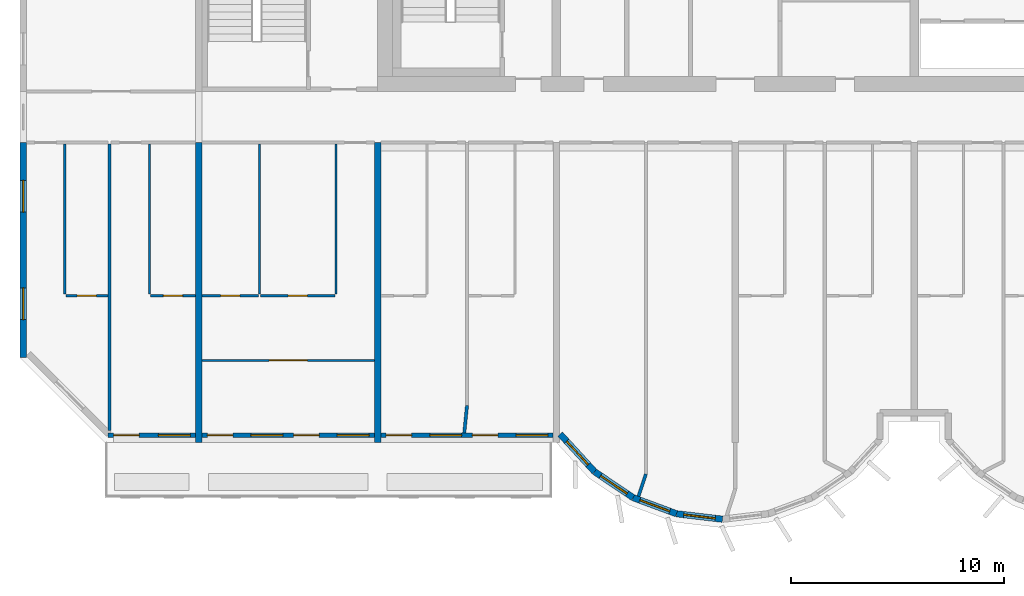
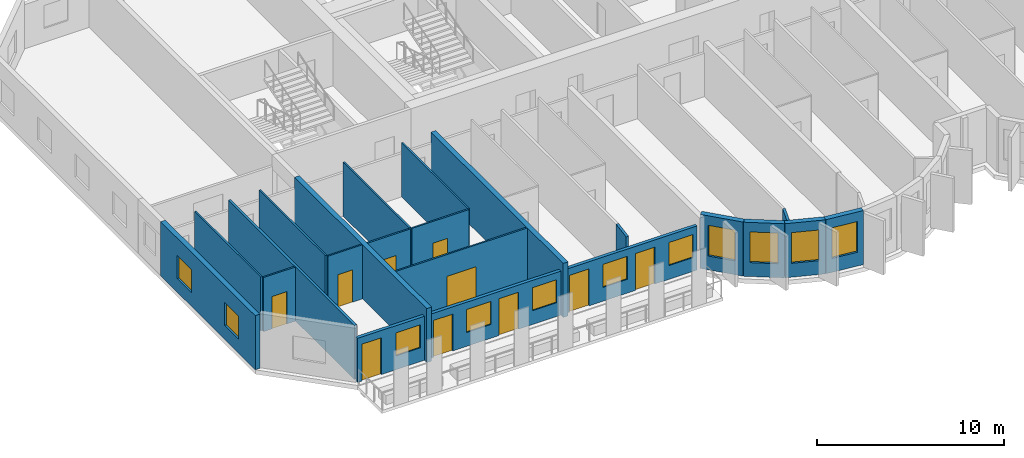
# One storey, part 2 of 13: 22 walls, 11 windows, 10 doors, 21 openings.
"""IFC4 building model written with IfcOpenShell, lengths in metres."""

from ifc_helpers import new_model, si_unit, direction, frame, frame_2d, origin, place, context, subcontext, project, spatial, rectangle, extrude, source, transform, mapped, material, layer, layer_set, type_object, element, fill, save


model = new_model("IFC4")

# Units and contexts
model_context = context("Model", 3, precision=1e-05, world=origin(), true_north=direction((0.0, 1.0)))
body_context = subcontext(model_context, "Body", "Model", "MODEL_VIEW")
ifc_project = project(units=[si_unit("LENGTHUNIT", "METRE"), si_unit("AREAUNIT", "SQUARE_METRE"), si_unit("VOLUMEUNIT", "CUBIC_METRE"), si_unit("PLANEANGLEUNIT", "RADIAN"), si_unit("MASSUNIT", "GRAM", prefix="KILO")], contexts=[model_context])

# Site, building, storey
site_placement = place(None, origin())
site = spatial("IfcSite", under=ifc_project, at=site_placement, CompositionType="ELEMENT")
building_placement = place(site_placement, origin())
building = spatial("IfcBuilding", under=site, at=building_placement, Name="Vanashikhar Sky Hotel", CompositionType="ELEMENT")
storey_placement = place(building_placement, frame((0.0, 0.0, 163.0)))
storey = spatial("IfcBuildingStorey", under=building, at=storey_placement, Name="L39", CompositionType="ELEMENT", Elevation=163.0)

# Wall, openings, windows
ifc_material_1 = material(Name="Concrete M60", Category="concrete")
ifc_layer_1 = layer(ifc_material_1, 0.300048828125)
ifc_layer_set_1 = layer_set([ifc_layer_1], Name="RC shear wall 300 Concrete M60")
wall_type_1 = type_object("IfcWallType", Name="RC shear wall 300 Concrete M60", PredefinedType="SHEAR", material=ifc_layer_set_1)
shared_shape_1 = source(origin(), body_context, "Body", "SweptSolid", [
    extrude(rectangle(XDim=10.10009765625, YDim=0.300048828125, at=frame_2d((5.050048828125, 0.0))), origin(), (0.0, 0.0, 1.0), 3.52001953125),
])
wall_1_placement = place(storey_placement, frame((8.550048828125, 9.5, 0.0), z_axis=(0.0, 0.0, 1.0), x_axis=(0.0, 1.0, 0.0)))
wall_1 = element("IfcWall", 1, at=wall_1_placement, inside=storey, type_object=wall_type_1, Name="CW-L39-XW02-1", PredefinedType="SHEAR", context=body_context, shape_type="MappedRepresentation", body=[
    mapped(shared_shape_1, transform((0.0, 0.0, 0.0), scale=1.0)),
])
shared_shape_2 = source(origin(), body_context, "Body", "SweptSolid", [
    extrude(rectangle(XDim=1.5, YDim=1.5, at=frame_2d((0.75, 0.75))), frame((0.0, 0.16015625, 0.0), z_axis=(0.0, -1.0, 0.0), x_axis=(1.0, 0.0, 0.0)), (0.0, 0.0, 1.0), 0.320068359375),
])
opening_1_placement = place(wall_1_placement, frame((1.77490234375, 0.0, 0.89990234375)))
opening_1 = element("IfcOpeningElement", 2, at=opening_1_placement, cuts=wall_1, Name="Opening WN-1", PredefinedType="OPENING", context=body_context, shape_type="MappedRepresentation", body=[
    mapped(shared_shape_2, transform((0.0, 0.0, 0.0), scale=1.0)),
])
opening_2_placement = place(wall_1_placement, frame((6.824951171875, 0.0, 0.89990234375)))
opening_2 = element("IfcOpeningElement", 3, at=opening_2_placement, cuts=wall_1, Name="Opening WN-1", PredefinedType="OPENING", context=body_context, shape_type="MappedRepresentation", body=[
    mapped(shared_shape_2, transform((0.0, 0.0, 0.0), scale=1.0)),
])
ifc_material_2 = material(Name="Glass", Category="glass")
window_type_1 = type_object("IfcWindowType", Name="Window 1500 x 1500", PartitioningType="SINGLE_PANEL", PredefinedType="WINDOW", material=ifc_material_2)
shared_shape_3 = source(origin(), body_context, "Body", "SweptSolid", [
    extrude(rectangle(XDim=1.5, YDim=1.5, at=frame_2d((0.75, 0.75))), frame((0.0, 0.030029296875, 0.0), z_axis=(0.0, -1.0, 0.0), x_axis=(1.0, 0.0, 0.0)), (0.0, 0.0, 1.0), 0.06005859375),
])
window_1_placement = place(opening_1_placement, origin())
window_1 = element("IfcWindow", 4, at=window_1_placement, inside=storey, type_object=window_type_1, Name="Window WN-1", OverallHeight=1.5, OverallWidth=1.5, PartitioningType="SINGLE_PANEL", PredefinedType="WINDOW", context=body_context, shape_type="MappedRepresentation", body=[
    mapped(shared_shape_3, transform((0.0, 0.0, 0.0), scale=1.0)),
])
fill(opening_1, window_1)
window_2_placement = place(opening_2_placement, origin())
window_2 = element("IfcWindow", 5, at=window_2_placement, inside=storey, type_object=window_type_1, Name="Window WN-1", OverallHeight=1.5, OverallWidth=1.5, PartitioningType="SINGLE_PANEL", PredefinedType="WINDOW", context=body_context, shape_type="MappedRepresentation", body=[
    mapped(shared_shape_3, transform((0.0, 0.0, 0.0), scale=1.0)),
])
fill(opening_2, window_2)

# Walls
shared_shape_4 = source(origin(), body_context, "Body", "SweptSolid", [
    extrude(rectangle(XDim=14.10009765625, YDim=0.300048828125, at=frame_2d((7.050048828125, 0.0))), origin(), (0.0, 0.0, 1.0), 3.52001953125),
])
for number, where, z_axis, x_axis, name in (
    (6, (16.800048828125, 5.5, 0.0), (0.0, 0.0, 1.0), (0.0, 1.0, 0.0), "CW-L39-XW03-1"),
    (7, (25.199951171875, 5.5, 0.0), (0.0, 0.0, 1.0), (0.0, 1.0, 0.0), "CW-L39-XW04-1"),
):
    element("IfcWall", number, at=place(storey_placement, frame(where, z_axis=z_axis, x_axis=x_axis)), inside=storey, type_object=wall_type_1, Name=name, PredefinedType="SHEAR", context=body_context, shape_type="MappedRepresentation", body=[
        mapped(shared_shape_4, transform((0.0, 0.0, 0.0), scale=1.0)),
    ])

# Wall, opening, window
ifc_material_3 = material(Name="Concrete M50", Category="concrete")
ifc_layer_2 = layer(ifc_material_3, 0.300048828125)
ifc_layer_set_2 = layer_set([ifc_layer_2], Name="Lobe wall 300")
wall_type_2 = type_object("IfcWallType", Name="Lobe wall 300", PredefinedType="SOLIDWALL", material=ifc_layer_set_2)
shared_shape_5 = source(origin(), body_context, "Body", "SweptSolid", [
    extrude(rectangle(XDim=2.398193359375, YDim=0.300048828125, at=frame_2d((1.19921875, 0.0))), origin(), (0.0, 0.0, 1.0), 3.52001953125),
])
wall_2_placement = place(storey_placement, frame((33.776123046875, 5.89990234375, 0.0), z_axis=(0.0, 0.0, 1.0), x_axis=(0.675374189419, -0.737475222815, 0.0)))
wall_2 = element("IfcWall", 8, at=wall_2_placement, inside=storey, type_object=wall_type_2, Name="Lobe wall", PredefinedType="SOLIDWALL", context=body_context, shape_type="MappedRepresentation", body=[
    mapped(shared_shape_5, transform((0.0, 0.0, 0.0), scale=1.0)),
])
shared_shape_6 = source(origin(), body_context, "Body", "SweptSolid", [
    extrude(rectangle(XDim=1.5, YDim=2.0, at=frame_2d((0.75, 1.0))), frame((0.0, 0.16015625, 0.0), z_axis=(0.0, -1.0, 0.0), x_axis=(1.0, 0.0, 0.0)), (0.0, 0.0, 1.0), 0.320068359375),
])
opening_3_placement = place(wall_2_placement, frame((0.44921875, 0.0, 0.89990234375)))
opening_3 = element("IfcOpeningElement", 9, at=opening_3_placement, cuts=wall_2, Name="Opening WN-2", PredefinedType="OPENING", context=body_context, shape_type="MappedRepresentation", body=[
    mapped(shared_shape_6, transform((0.0, 0.0, 0.0), scale=1.0)),
])
window_type_2 = type_object("IfcWindowType", Name="Lobe window 1500 x 2000", PartitioningType="SINGLE_PANEL", PredefinedType="WINDOW", material=ifc_material_2)
shared_shape_7 = source(origin(), body_context, "Body", "SweptSolid", [
    extrude(rectangle(XDim=1.5, YDim=2.0, at=frame_2d((0.75, 1.0))), frame((0.0, 0.030029296875, 0.0), z_axis=(0.0, -1.0, 0.0), x_axis=(1.0, 0.0, 0.0)), (0.0, 0.0, 1.0), 0.06005859375),
])
window_3_placement = place(opening_3_placement, origin())
window_3 = element("IfcWindow", 10, at=window_3_placement, inside=storey, type_object=window_type_2, Name="Window WN-2", OverallHeight=2.0, OverallWidth=1.5, PartitioningType="SINGLE_PANEL", PredefinedType="WINDOW", context=body_context, shape_type="MappedRepresentation", body=[
    mapped(shared_shape_7, transform((0.0, 0.0, 0.0), scale=1.0)),
])
fill(opening_3, window_3)

shared_shape_8 = source(origin(), body_context, "Body", "SweptSolid", [
    extrude(rectangle(XDim=2.17578125, YDim=0.300048828125, at=frame_2d((1.087890625, 0.0))), origin(), (0.0, 0.0, 1.0), 3.52001953125),
])
wall_3_placement = place(storey_placement, frame((35.395751953125, 4.13134765625, 0.0), z_axis=(0.0, 0.0, 1.0), x_axis=(0.829590746428, -0.558371913192, 0.0)))
wall_3 = element("IfcWall", 11, at=wall_3_placement, inside=storey, type_object=wall_type_2, Name="Lobe wall", PredefinedType="SOLIDWALL", context=body_context, shape_type="MappedRepresentation", body=[
    mapped(shared_shape_8, transform((0.0, 0.0, 0.0), scale=1.0)),
])
opening_4_placement = place(wall_3_placement, frame((0.337890625, 0.0, 0.89990234375)))
opening_4 = element("IfcOpeningElement", 12, at=opening_4_placement, cuts=wall_3, Name="Opening WN-2", PredefinedType="OPENING", context=body_context, shape_type="MappedRepresentation", body=[
    mapped(shared_shape_6, transform((0.0, 0.0, 0.0), scale=1.0)),
])
window_4_placement = place(opening_4_placement, origin())
window_4 = element("IfcWindow", 13, at=window_4_placement, inside=storey, type_object=window_type_2, Name="Window WN-2", OverallHeight=2.0, OverallWidth=1.5, PartitioningType="SINGLE_PANEL", PredefinedType="WINDOW", context=body_context, shape_type="MappedRepresentation", body=[
    mapped(shared_shape_7, transform((0.0, 0.0, 0.0), scale=1.0)),
])
fill(opening_4, window_4)

wall_4_placement = place(storey_placement, frame((37.20068359375, 2.91650390625, 0.0), z_axis=(0.0, 0.0, 1.0), x_axis=(0.93754555999, -0.347862505801, 0.0)))
wall_4 = element("IfcWall", 14, at=wall_4_placement, inside=storey, type_object=wall_type_2, Name="Lobe wall", PredefinedType="SOLIDWALL", context=body_context, shape_type="MappedRepresentation", body=[
    mapped(shared_shape_8, transform((0.0, 0.0, 0.0), scale=1.0)),
])
opening_5_placement = place(wall_4_placement, frame((0.337890625, 0.0, 0.89990234375)))
opening_5 = element("IfcOpeningElement", 15, at=opening_5_placement, cuts=wall_4, Name="Opening WN-2", PredefinedType="OPENING", context=body_context, shape_type="MappedRepresentation", body=[
    mapped(shared_shape_6, transform((0.0, 0.0, 0.0), scale=1.0)),
])
window_5_placement = place(opening_5_placement, origin())
window_5 = element("IfcWindow", 16, at=window_5_placement, inside=storey, type_object=window_type_2, Name="Window WN-2", OverallHeight=2.0, OverallWidth=1.5, PartitioningType="SINGLE_PANEL", PredefinedType="WINDOW", context=body_context, shape_type="MappedRepresentation", body=[
    mapped(shared_shape_7, transform((0.0, 0.0, 0.0), scale=1.0)),
])
fill(opening_5, window_5)

shared_shape_9 = source(origin(), body_context, "Body", "SweptSolid", [
    extrude(rectangle(XDim=2.174560546875, YDim=0.300048828125, at=frame_2d((1.08740234375, 0.0))), origin(), (0.0, 0.0, 1.0), 3.52001953125),
])
wall_5_placement = place(storey_placement, frame((39.240478515625, 2.15966796875, 0.0), z_axis=(0.0, 0.0, 1.0), x_axis=(0.993001132889, -0.118104826659, 0.0)))
wall_5 = element("IfcWall", 17, at=wall_5_placement, inside=storey, type_object=wall_type_2, Name="Lobe wall", PredefinedType="SOLIDWALL", context=body_context, shape_type="MappedRepresentation", body=[
    mapped(shared_shape_9, transform((0.0, 0.0, 0.0), scale=1.0)),
])
opening_6_placement = place(wall_5_placement, frame((0.33740234375, 0.0, 0.89990234375)))
opening_6 = element("IfcOpeningElement", 18, at=opening_6_placement, cuts=wall_5, Name="Opening WN-2", PredefinedType="OPENING", context=body_context, shape_type="MappedRepresentation", body=[
    mapped(shared_shape_6, transform((0.0, 0.0, 0.0), scale=1.0)),
])
window_6_placement = place(opening_6_placement, origin())
window_6 = element("IfcWindow", 19, at=window_6_placement, inside=storey, type_object=window_type_2, Name="Window WN-2", OverallHeight=2.0, OverallWidth=1.5, PartitioningType="SINGLE_PANEL", PredefinedType="WINDOW", context=body_context, shape_type="MappedRepresentation", body=[
    mapped(shared_shape_7, transform((0.0, 0.0, 0.0), scale=1.0)),
])
fill(opening_6, window_6)

# Wall, openings, window, door
ifc_layer_3 = layer(ifc_material_3, 0.199951171875)
ifc_layer_set_3 = layer_set([ifc_layer_3], Name="Front window wall 200")
wall_type_3 = type_object("IfcWallType", Name="Front window wall 200", PredefinedType="SOLIDWALL", material=ifc_layer_set_3)
shared_shape_10 = source(origin(), body_context, "Body", "SweptSolid", [
    extrude(rectangle(XDim=4.10498046875, YDim=0.199951171875, at=frame_2d((2.052490234375, 0.0))), origin(), (0.0, 0.0, 1.0), 2.8701171875),
])
wall_6_placement = place(storey_placement, frame((12.544921875, 5.85009765625, 0.0), z_axis=(0.0, 0.0, 1.0), x_axis=(1.0, 0.0, 0.0)))
wall_6 = element("IfcWall", 20, at=wall_6_placement, inside=storey, type_object=wall_type_3, Name="Front window wall", PredefinedType="SOLIDWALL", context=body_context, shape_type="MappedRepresentation", body=[
    mapped(shared_shape_10, transform((0.0, 0.0, 0.0), scale=1.0)),
])
shared_shape_11 = source(origin(), body_context, "Body", "SweptSolid", [
    extrude(rectangle(XDim=1.199951171875, YDim=2.39990234375, at=frame_2d((0.60009765625, 1.199951171875))), frame((0.0, 0.10986328125, 0.0), z_axis=(0.0, -1.0, 0.0), x_axis=(1.0, 0.0, 0.0)), (0.0, 0.0, 1.0), 0.219970703125),
])
opening_7_placement = place(wall_6_placement, frame((0.25, 0.0, 0.0)))
opening_7 = element("IfcOpeningElement", 21, at=opening_7_placement, cuts=wall_6, Name="Opening BD-01", PredefinedType="OPENING", context=body_context, shape_type="MappedRepresentation", body=[
    mapped(shared_shape_11, transform((0.0, 0.0, 0.0), scale=1.0)),
])
shared_shape_12 = source(origin(), body_context, "Body", "SweptSolid", [
    extrude(rectangle(XDim=1.5, YDim=1.5, at=frame_2d((0.75, 0.75))), frame((0.0, 0.10986328125, 0.0), z_axis=(0.0, -1.0, 0.0), x_axis=(1.0, 0.0, 0.0)), (0.0, 0.0, 1.0), 0.219970703125),
])
opening_8_placement = place(wall_6_placement, frame((2.35498046875, 0.0, 0.89990234375)))
opening_8 = element("IfcOpeningElement", 22, at=opening_8_placement, cuts=wall_6, Name="Opening WN-1", PredefinedType="OPENING", context=body_context, shape_type="MappedRepresentation", body=[
    mapped(shared_shape_12, transform((0.0, 0.0, 0.0), scale=1.0)),
])
window_7_placement = place(opening_8_placement, origin())
window_7 = element("IfcWindow", 23, at=window_7_placement, inside=storey, type_object=window_type_1, Name="Window WN-1", OverallHeight=1.5, OverallWidth=1.5, PartitioningType="SINGLE_PANEL", PredefinedType="WINDOW", context=body_context, shape_type="MappedRepresentation", body=[
    mapped(shared_shape_3, transform((0.0, 0.0, 0.0), scale=1.0)),
])
fill(opening_8, window_7)
ifc_material_4 = material(Name="Aluminium", Category="aluminium")
door_type_1 = type_object("IfcDoorType", Name="Balcony sliding door 1200 x 2400", OperationType="NOTDEFINED", PredefinedType="DOOR", material=ifc_material_4)
shared_shape_13 = source(origin(), body_context, "Body", "SweptSolid", [
    extrude(rectangle(XDim=1.199951171875, YDim=2.39990234375, at=frame_2d((0.60009765625, 1.199951171875))), frame((0.0, 0.02490234375, 0.0), z_axis=(0.0, -1.0, 0.0), x_axis=(1.0, 0.0, 0.0)), (0.0, 0.0, 1.0), 0.050048828125),
])
door_1_placement = place(opening_7_placement, origin())
door_1 = element("IfcDoor", 24, at=door_1_placement, inside=storey, type_object=door_type_1, Name="Balcony sliding door", OperationType="SLIDING_TO_LEFT", OverallHeight=2.39990234375, OverallWidth=1.199951171875, PredefinedType="DOOR", context=body_context, shape_type="MappedRepresentation", body=[
    mapped(shared_shape_13, transform((0.0, 0.0, 0.0), scale=1.0)),
])
fill(opening_7, door_1)

# Wall, openings, windows, doors
shared_shape_14 = source(origin(), body_context, "Body", "SweptSolid", [
    extrude(rectangle(XDim=8.10009765625, YDim=0.199951171875, at=frame_2d((4.050048828125, 0.0))), origin(), (0.0, 0.0, 1.0), 2.8701171875),
])
wall_7_placement = place(storey_placement, frame((16.949951171875, 5.85009765625, 0.0), z_axis=(0.0, 0.0, 1.0), x_axis=(1.0, 0.0, 0.0)))
wall_7 = element("IfcWall", 25, at=wall_7_placement, inside=storey, type_object=wall_type_3, Name="Front window wall", PredefinedType="SOLIDWALL", context=body_context, shape_type="MappedRepresentation", body=[
    mapped(shared_shape_14, transform((0.0, 0.0, 0.0), scale=1.0)),
])
opening_9_placement = place(wall_7_placement, frame((0.25, 0.0, 0.0)))
opening_9 = element("IfcOpeningElement", 26, at=opening_9_placement, cuts=wall_7, Name="Opening BD-02", PredefinedType="OPENING", context=body_context, shape_type="MappedRepresentation", body=[
    mapped(shared_shape_11, transform((0.0, 0.0, 0.0), scale=1.0)),
])
opening_10_placement = place(wall_7_placement, frame((2.300048828125, 0.0, 0.89990234375)))
opening_10 = element("IfcOpeningElement", 27, at=opening_10_placement, cuts=wall_7, Name="Opening WN-1", PredefinedType="OPENING", context=body_context, shape_type="MappedRepresentation", body=[
    mapped(shared_shape_12, transform((0.0, 0.0, 0.0), scale=1.0)),
])
opening_11_placement = place(wall_7_placement, frame((4.300048828125, 0.0, 0.0)))
opening_11 = element("IfcOpeningElement", 28, at=opening_11_placement, cuts=wall_7, Name="Opening BD-03", PredefinedType="OPENING", context=body_context, shape_type="MappedRepresentation", body=[
    mapped(shared_shape_11, transform((0.0, 0.0, 0.0), scale=1.0)),
])
opening_12_placement = place(wall_7_placement, frame((6.35009765625, 0.0, 0.89990234375)))
opening_12 = element("IfcOpeningElement", 29, at=opening_12_placement, cuts=wall_7, Name="Opening WN-1", PredefinedType="OPENING", context=body_context, shape_type="MappedRepresentation", body=[
    mapped(shared_shape_12, transform((0.0, 0.0, 0.0), scale=1.0)),
])
window_8_placement = place(opening_10_placement, origin())
window_8 = element("IfcWindow", 30, at=window_8_placement, inside=storey, type_object=window_type_1, Name="Window WN-1", OverallHeight=1.5, OverallWidth=1.5, PartitioningType="SINGLE_PANEL", PredefinedType="WINDOW", context=body_context, shape_type="MappedRepresentation", body=[
    mapped(shared_shape_3, transform((0.0, 0.0, 0.0), scale=1.0)),
])
fill(opening_10, window_8)
window_9_placement = place(opening_12_placement, origin())
window_9 = element("IfcWindow", 31, at=window_9_placement, inside=storey, type_object=window_type_1, Name="Window WN-1", OverallHeight=1.5, OverallWidth=1.5, PartitioningType="SINGLE_PANEL", PredefinedType="WINDOW", context=body_context, shape_type="MappedRepresentation", body=[
    mapped(shared_shape_3, transform((0.0, 0.0, 0.0), scale=1.0)),
])
fill(opening_12, window_9)
door_2_placement = place(opening_9_placement, origin())
door_2 = element("IfcDoor", 32, at=door_2_placement, inside=storey, type_object=door_type_1, Name="Balcony sliding door", OperationType="SLIDING_TO_RIGHT", OverallHeight=2.39990234375, OverallWidth=1.199951171875, PredefinedType="DOOR", context=body_context, shape_type="MappedRepresentation", body=[
    mapped(shared_shape_13, transform((0.0, 0.0, 0.0), scale=1.0)),
])
fill(opening_9, door_2)
door_3_placement = place(opening_11_placement, origin())
door_3 = element("IfcDoor", 33, at=door_3_placement, inside=storey, type_object=door_type_1, Name="Balcony sliding door", OperationType="SLIDING_TO_LEFT", OverallHeight=2.39990234375, OverallWidth=1.199951171875, PredefinedType="DOOR", context=body_context, shape_type="MappedRepresentation", body=[
    mapped(shared_shape_13, transform((0.0, 0.0, 0.0), scale=1.0)),
])
fill(opening_11, door_3)

shared_shape_15 = source(origin(), body_context, "Body", "SweptSolid", [
    extrude(rectangle(XDim=8.099853515625, YDim=0.199951171875, at=frame_2d((4.0498046875, 0.0))), origin(), (0.0, 0.0, 1.0), 2.8701171875),
])
wall_8_placement = place(storey_placement, frame((25.35009765625, 5.85009765625, 0.0), z_axis=(0.0, 0.0, 1.0), x_axis=(1.0, 0.0, 0.0)))
wall_8 = element("IfcWall", 34, at=wall_8_placement, inside=storey, type_object=wall_type_3, Name="Front window wall", PredefinedType="SOLIDWALL", context=body_context, shape_type="MappedRepresentation", body=[
    mapped(shared_shape_15, transform((0.0, 0.0, 0.0), scale=1.0)),
])
opening_13_placement = place(wall_8_placement, frame((0.25, 0.0, 0.0)))
opening_13 = element("IfcOpeningElement", 35, at=opening_13_placement, cuts=wall_8, Name="Opening BD-04", PredefinedType="OPENING", context=body_context, shape_type="MappedRepresentation", body=[
    mapped(shared_shape_11, transform((0.0, 0.0, 0.0), scale=1.0)),
])
opening_14_placement = place(wall_8_placement, frame((2.300048828125, 0.0, 0.89990234375)))
opening_14 = element("IfcOpeningElement", 36, at=opening_14_placement, cuts=wall_8, Name="Opening WN-1", PredefinedType="OPENING", context=body_context, shape_type="MappedRepresentation", body=[
    mapped(shared_shape_12, transform((0.0, 0.0, 0.0), scale=1.0)),
])
opening_15_placement = place(wall_8_placement, frame((4.300048828125, 0.0, 0.0)))
opening_15 = element("IfcOpeningElement", 37, at=opening_15_placement, cuts=wall_8, Name="Opening BD-05", PredefinedType="OPENING", context=body_context, shape_type="MappedRepresentation", body=[
    mapped(shared_shape_11, transform((0.0, 0.0, 0.0), scale=1.0)),
])
opening_16_placement = place(wall_8_placement, frame((6.35009765625, 0.0, 0.89990234375)))
opening_16 = element("IfcOpeningElement", 38, at=opening_16_placement, cuts=wall_8, Name="Opening WN-1", PredefinedType="OPENING", context=body_context, shape_type="MappedRepresentation", body=[
    mapped(shared_shape_12, transform((0.0, 0.0, 0.0), scale=1.0)),
])
window_10_placement = place(opening_14_placement, origin())
window_10 = element("IfcWindow", 39, at=window_10_placement, inside=storey, type_object=window_type_1, Name="Window WN-1", OverallHeight=1.5, OverallWidth=1.5, PartitioningType="SINGLE_PANEL", PredefinedType="WINDOW", context=body_context, shape_type="MappedRepresentation", body=[
    mapped(shared_shape_3, transform((0.0, 0.0, 0.0), scale=1.0)),
])
fill(opening_14, window_10)
window_11_placement = place(opening_16_placement, origin())
window_11 = element("IfcWindow", 40, at=window_11_placement, inside=storey, type_object=window_type_1, Name="Window WN-1", OverallHeight=1.5, OverallWidth=1.5, PartitioningType="SINGLE_PANEL", PredefinedType="WINDOW", context=body_context, shape_type="MappedRepresentation", body=[
    mapped(shared_shape_3, transform((0.0, 0.0, 0.0), scale=1.0)),
])
fill(opening_16, window_11)
door_4_placement = place(opening_13_placement, origin())
door_4 = element("IfcDoor", 41, at=door_4_placement, inside=storey, type_object=door_type_1, Name="Balcony sliding door", OperationType="SLIDING_TO_RIGHT", OverallHeight=2.39990234375, OverallWidth=1.199951171875, PredefinedType="DOOR", context=body_context, shape_type="MappedRepresentation", body=[
    mapped(shared_shape_13, transform((0.0, 0.0, 0.0), scale=1.0)),
])
fill(opening_13, door_4)
door_5_placement = place(opening_15_placement, origin())
door_5 = element("IfcDoor", 42, at=door_5_placement, inside=storey, type_object=door_type_1, Name="Balcony sliding door", OperationType="SLIDING_TO_LEFT", OverallHeight=2.39990234375, OverallWidth=1.199951171875, PredefinedType="DOOR", context=body_context, shape_type="MappedRepresentation", body=[
    mapped(shared_shape_13, transform((0.0, 0.0, 0.0), scale=1.0)),
])
fill(opening_15, door_5)

# Walls
ifc_material_5 = material(Name="Gypsum plasterboard partition")
ifc_layer_4 = layer(ifc_material_5, 0.10009765625)
ifc_layer_set_4 = layer_set([ifc_layer_4], Name="Wet room partition 100")
wall_type_4 = type_object("IfcWallType", Name="Wet room partition 100", PredefinedType="PARTITIONING", material=ifc_layer_set_4)
shared_shape_16 = source(origin(), body_context, "Body", "SweptSolid", [
    extrude(rectangle(XDim=7.0498046875, YDim=0.10009765625, at=frame_2d((3.52490234375, 0.0))), origin(), (0.0, 0.0, 1.0), 3.52001953125),
])
for number, where, z_axis, x_axis, name in (
    (43, (10.5, 12.47509765625, 0.0), (0.0, 0.0, 1.0), (0.0, 1.0, 0.0), "W-L39-PW001"),
    (44, (14.47509765625, 12.47509765625, 0.0), (0.0, 0.0, 1.0), (0.0, 1.0, 0.0), "W-L39-PW004"),
    (45, (23.25, 12.47509765625, 0.0), (0.0, 0.0, 1.0), (0.0, 1.0, 0.0), "W-L39-PW008"),
    (46, (19.64990234375, 12.47509765625, 0.0), (0.0, 0.0, 1.0), (0.0, 1.0, 0.0), "W-L39-PW009"),
):
    element("IfcWall", number, at=place(storey_placement, frame(where, z_axis=z_axis, x_axis=x_axis)), inside=storey, type_object=wall_type_4, Name=name, PredefinedType="PARTITIONING", context=body_context, shape_type="MappedRepresentation", body=[
        mapped(shared_shape_16, transform((0.0, 0.0, 0.0), scale=1.0)),
    ])

# Wall, opening, door
shared_shape_17 = source(origin(), body_context, "Body", "SweptSolid", [
    extrude(rectangle(XDim=3.5, YDim=0.10009765625, at=frame_2d((1.75, 0.0))), origin(), (0.0, 0.0, 1.0), 3.52001953125),
])
wall_9_placement = place(storey_placement, frame((19.699951171875, 12.39990234375, 0.0), z_axis=(0.0, 0.0, 1.0), x_axis=(1.0, 0.0, 0.0)))
wall_9 = element("IfcWall", 47, at=wall_9_placement, inside=storey, type_object=wall_type_4, Name="W-L39-PW010", PredefinedType="PARTITIONING", context=body_context, shape_type="MappedRepresentation", body=[
    mapped(shared_shape_17, transform((0.0, 0.0, 0.0), scale=1.0)),
])
shared_shape_18 = source(origin(), body_context, "Body", "SweptSolid", [
    extrude(rectangle(XDim=0.89990234375, YDim=2.10009765625, at=frame_2d((0.449951171875, 1.050048828125))), frame((0.0, 0.06005859375, 0.0), z_axis=(0.0, -1.0, 0.0), x_axis=(1.0, 0.0, 0.0)), (0.0, 0.0, 1.0), 0.1201171875),
])
opening_17_placement = place(wall_9_placement, frame((1.300048828125, 0.0, 0.0)))
opening_17 = element("IfcOpeningElement", 48, at=opening_17_placement, cuts=wall_9, Name="Opening D-02", PredefinedType="OPENING", context=body_context, shape_type="MappedRepresentation", body=[
    mapped(shared_shape_18, transform((0.0, 0.0, 0.0), scale=1.0)),
])
ifc_material_6 = material(Name="Timber door", Category="wood")
door_type_2 = type_object("IfcDoorType", Name="Internal door 900", OperationType="NOTDEFINED", PredefinedType="DOOR", material=ifc_material_6)
shared_shape_19 = source(origin(), body_context, "Body", "SweptSolid", [
    extrude(rectangle(XDim=0.89990234375, YDim=2.10009765625, at=frame_2d((0.449951171875, 1.050048828125))), frame((0.0, 0.02490234375, 0.0), z_axis=(0.0, -1.0, 0.0), x_axis=(1.0, 0.0, 0.0)), (0.0, 0.0, 1.0), 0.050048828125),
])
door_6_placement = place(opening_17_placement, origin())
door_6 = element("IfcDoor", 49, at=door_6_placement, inside=storey, type_object=door_type_2, Name="D-L39-005", OperationType="SINGLE_SWING_RIGHT", OverallHeight=2.10009765625, OverallWidth=0.89990234375, PredefinedType="DOOR", context=body_context, shape_type="MappedRepresentation", body=[
    mapped(shared_shape_19, transform((0.0, 0.0, 0.0), scale=1.0)),
])
fill(opening_17, door_6)

# Walls
ifc_layer_5 = layer(ifc_material_5, 0.14990234375)
ifc_layer_set_5 = layer_set([ifc_layer_5], Name="Corridor and demising partition 150")
wall_type_5 = type_object("IfcWallType", Name="Corridor and demising partition 150", PredefinedType="PARTITIONING", material=ifc_layer_set_5)
shared_shape_20 = source(origin(), body_context, "Body", "SweptSolid", [
    extrude(rectangle(XDim=1.100830078125, YDim=0.14990234375, at=frame_2d((0.55029296875, 0.0))), origin(), (0.0, 0.0, 1.0), 3.52001953125),
])
wall_10_placement = place(storey_placement, frame((37.45703125, 2.98095703125, 0.0), z_axis=(0.0, 0.0, 1.0), x_axis=(0.311567081539, 0.950224159712, 0.0)))
element("IfcWall", 50, at=wall_10_placement, inside=storey, type_object=wall_type_5, Name="W-L39-PW023B0", PredefinedType="PARTITIONING", context=body_context, shape_type="MappedRepresentation", body=[
    mapped(shared_shape_20, transform((0.0, 0.0, 0.0), scale=1.0)),
])
shared_shape_21 = source(origin(), body_context, "Body", "SweptSolid", [
    extrude(rectangle(XDim=13.447021484375, YDim=0.14990234375, at=frame_2d((6.7236328125, 0.0))), origin(), (0.0, 0.0, 1.0), 3.52001953125),
])
wall_11_placement = place(storey_placement, frame((12.60009765625, 6.077880859375, 0.0), z_axis=(0.0, 0.0, 1.0), x_axis=(0.0, 1.0, 0.0)))
element("IfcWall", 51, at=wall_11_placement, inside=storey, type_object=wall_type_5, Name="W-L39-PW007", PredefinedType="PARTITIONING", context=body_context, shape_type="MappedRepresentation", body=[
    mapped(shared_shape_21, transform((0.0, 0.0, 0.0), scale=1.0)),
])
shared_shape_22 = source(origin(), body_context, "Body", "SweptSolid", [
    extrude(rectangle(XDim=1.306640625, YDim=0.14990234375, at=frame_2d((0.6533203125, 0.0))), origin(), (0.0, 0.0, 1.0), 3.52001953125),
])
wall_12_placement = place(storey_placement, frame((29.27001953125, 5.949951171875, 0.0), z_axis=(0.0, 0.0, 1.0), x_axis=(0.099411212066, 0.995046436562, 0.0)))
element("IfcWall", 52, at=wall_12_placement, inside=storey, type_object=wall_type_5, Name="W-L39-PW020B0", PredefinedType="PARTITIONING", context=body_context, shape_type="MappedRepresentation", body=[
    mapped(shared_shape_22, transform((0.0, 0.0, 0.0), scale=1.0)),
])

# Wall, opening, door
shared_shape_23 = source(origin(), body_context, "Body", "SweptSolid", [
    extrude(rectangle(XDim=2.125, YDim=0.10009765625, at=frame_2d((1.0625, 0.0))), origin(), (0.0, 0.0, 1.0), 3.52001953125),
])
wall_13_placement = place(storey_placement, frame((14.52490234375, 12.39990234375, 0.0), z_axis=(0.0, 0.0, 1.0), x_axis=(1.0, 0.0, 0.0)))
wall_13 = element("IfcWall", 53, at=wall_13_placement, inside=storey, type_object=wall_type_4, Name="W-L39-PW005", PredefinedType="PARTITIONING", context=body_context, shape_type="MappedRepresentation", body=[
    mapped(shared_shape_23, transform((0.0, 0.0, 0.0), scale=1.0)),
])
opening_18_placement = place(wall_13_placement, frame((0.612060546875, 0.0, 0.0)))
opening_18 = element("IfcOpeningElement", 54, at=opening_18_placement, cuts=wall_13, Name="Opening D-02", PredefinedType="OPENING", context=body_context, shape_type="MappedRepresentation", body=[
    mapped(shared_shape_18, transform((0.0, 0.0, 0.0), scale=1.0)),
])
door_7_placement = place(opening_18_placement, origin())
door_7 = element("IfcDoor", 55, at=door_7_placement, inside=storey, type_object=door_type_2, Name="D-L39-003", OperationType="SINGLE_SWING_LEFT", OverallHeight=2.10009765625, OverallWidth=0.89990234375, PredefinedType="DOOR", context=body_context, shape_type="MappedRepresentation", body=[
    mapped(shared_shape_19, transform((0.0, 0.0, 0.0), scale=1.0)),
])
fill(opening_18, door_7)

shared_shape_24 = source(origin(), body_context, "Body", "SweptSolid", [
    extrude(rectangle(XDim=2.650146484375, YDim=0.10009765625, at=frame_2d((1.3251953125, 0.0))), origin(), (0.0, 0.0, 1.0), 3.52001953125),
])
wall_14_placement = place(storey_placement, frame((16.949951171875, 12.39990234375, 0.0), z_axis=(0.0, 0.0, 1.0), x_axis=(1.0, 0.0, 0.0)))
wall_14 = element("IfcWall", 56, at=wall_14_placement, inside=storey, type_object=wall_type_4, Name="W-L39-PW011", PredefinedType="PARTITIONING", context=body_context, shape_type="MappedRepresentation", body=[
    mapped(shared_shape_24, transform((0.0, 0.0, 0.0), scale=1.0)),
])
opening_19_placement = place(wall_14_placement, frame((0.875, 0.0, 0.0)))
opening_19 = element("IfcOpeningElement", 57, at=opening_19_placement, cuts=wall_14, Name="Opening D-02", PredefinedType="OPENING", context=body_context, shape_type="MappedRepresentation", body=[
    mapped(shared_shape_18, transform((0.0, 0.0, 0.0), scale=1.0)),
])
door_8_placement = place(opening_19_placement, origin())
door_8 = element("IfcDoor", 58, at=door_8_placement, inside=storey, type_object=door_type_2, Name="D-L39-006", OperationType="SINGLE_SWING_RIGHT", OverallHeight=2.10009765625, OverallWidth=0.89990234375, PredefinedType="DOOR", context=body_context, shape_type="MappedRepresentation", body=[
    mapped(shared_shape_19, transform((0.0, 0.0, 0.0), scale=1.0)),
])
fill(opening_19, door_8)

shared_shape_25 = source(origin(), body_context, "Body", "SweptSolid", [
    extrude(rectangle(XDim=1.974853515625, YDim=0.10009765625, at=frame_2d((0.9873046875, 0.0))), origin(), (0.0, 0.0, 1.0), 3.52001953125),
])
wall_15_placement = place(storey_placement, frame((10.550048828125, 12.39990234375, 0.0), z_axis=(0.0, 0.0, 1.0), x_axis=(1.0, 0.0, 0.0)))
wall_15 = element("IfcWall", 59, at=wall_15_placement, inside=storey, type_object=wall_type_4, Name="W-L39-PW002", PredefinedType="PARTITIONING", context=body_context, shape_type="MappedRepresentation", body=[
    mapped(shared_shape_25, transform((0.0, 0.0, 0.0), scale=1.0)),
])
opening_20_placement = place(wall_15_placement, frame((0.5380859375, 0.0, 0.0)))
opening_20 = element("IfcOpeningElement", 60, at=opening_20_placement, cuts=wall_15, Name="Opening D-02", PredefinedType="OPENING", context=body_context, shape_type="MappedRepresentation", body=[
    mapped(shared_shape_18, transform((0.0, 0.0, 0.0), scale=1.0)),
])
door_9_placement = place(opening_20_placement, origin())
door_9 = element("IfcDoor", 61, at=door_9_placement, inside=storey, type_object=door_type_2, Name="D-L39-001", OperationType="SINGLE_SWING_LEFT", OverallHeight=2.10009765625, OverallWidth=0.89990234375, PredefinedType="DOOR", context=body_context, shape_type="MappedRepresentation", body=[
    mapped(shared_shape_19, transform((0.0, 0.0, 0.0), scale=1.0)),
])
fill(opening_20, door_9)

shared_shape_26 = source(origin(), body_context, "Body", "SweptSolid", [
    extrude(rectangle(XDim=8.10009765625, YDim=0.10009765625, at=frame_2d((4.050048828125, 0.0))), origin(), (0.0, 0.0, 1.0), 3.52001953125),
])
wall_16_placement = place(storey_placement, frame((16.949951171875, 9.362060546875, 0.0), z_axis=(0.0, 0.0, 1.0), x_axis=(1.0, 0.0, 0.0)))
wall_16 = element("IfcWall", 62, at=wall_16_placement, inside=storey, type_object=wall_type_4, Name="W-L39-PW012", PredefinedType="PARTITIONING", context=body_context, shape_type="MappedRepresentation", body=[
    mapped(shared_shape_26, transform((0.0, 0.0, 0.0), scale=1.0)),
])
shared_shape_27 = source(origin(), body_context, "Body", "SweptSolid", [
    extrude(rectangle(XDim=1.800048828125, YDim=2.10009765625, at=frame_2d((0.89990234375, 1.050048828125))), frame((0.0, 0.06005859375, 0.0), z_axis=(0.0, -1.0, 0.0), x_axis=(1.0, 0.0, 0.0)), (0.0, 0.0, 1.0), 0.1201171875),
])
opening_21_placement = place(wall_16_placement, frame((3.14990234375, 0.0, 0.0)))
opening_21 = element("IfcOpeningElement", 63, at=opening_21_placement, cuts=wall_16, Name="Opening D-08", PredefinedType="OPENING", context=body_context, shape_type="MappedRepresentation", body=[
    mapped(shared_shape_27, transform((0.0, 0.0, 0.0), scale=1.0)),
])
door_type_3 = type_object("IfcDoorType", Name="Double leaf door 1800", OperationType="NOTDEFINED", PredefinedType="DOOR", material=ifc_material_6)
shared_shape_28 = source(origin(), body_context, "Body", "SweptSolid", [
    extrude(rectangle(XDim=1.800048828125, YDim=2.10009765625, at=frame_2d((0.89990234375, 1.050048828125))), frame((0.0, 0.02490234375, 0.0), z_axis=(0.0, -1.0, 0.0), x_axis=(1.0, 0.0, 0.0)), (0.0, 0.0, 1.0), 0.050048828125),
])
door_10_placement = place(opening_21_placement, origin())
door_10 = element("IfcDoor", 64, at=door_10_placement, inside=storey, type_object=door_type_3, Name="D-L39-007", OperationType="DOUBLE_DOOR_SINGLE_SWING", OverallHeight=2.10009765625, OverallWidth=1.800048828125, PredefinedType="DOOR", context=body_context, shape_type="MappedRepresentation", body=[
    mapped(shared_shape_28, transform((0.0, 0.0, 0.0), scale=1.0)),
])
fill(opening_21, door_10)

save(model, "model.ifc")
